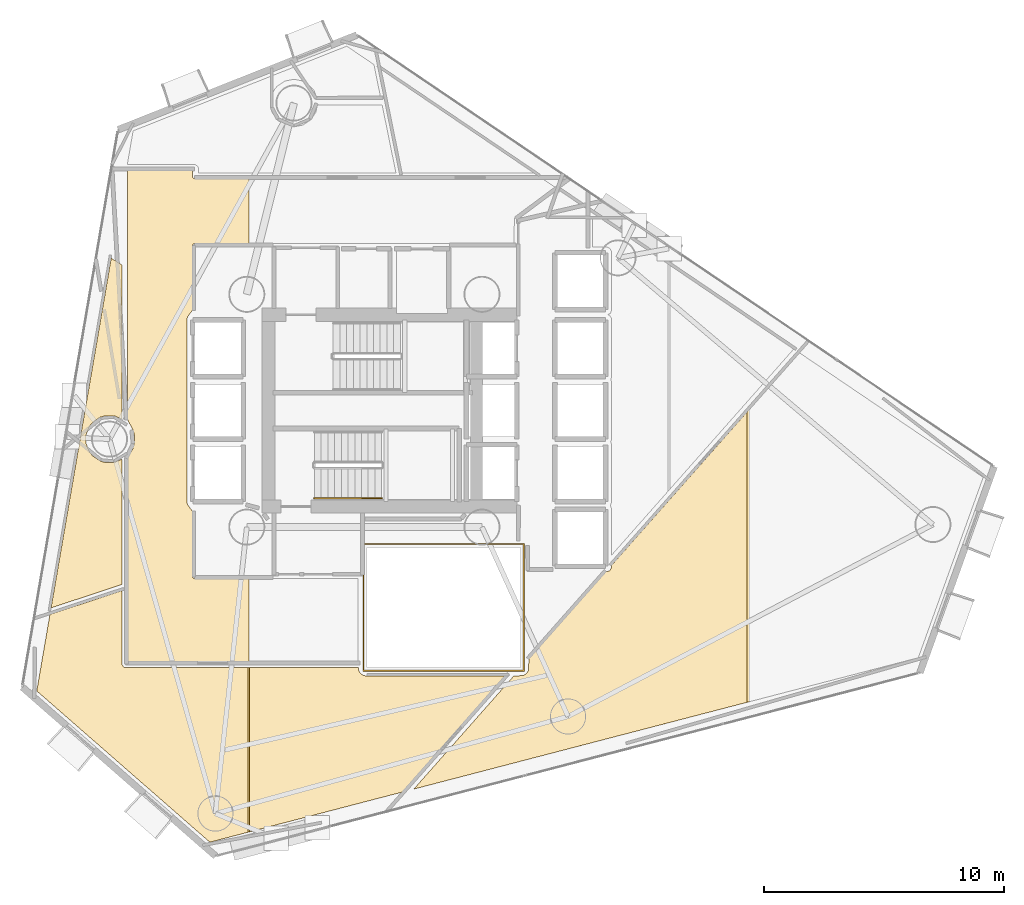
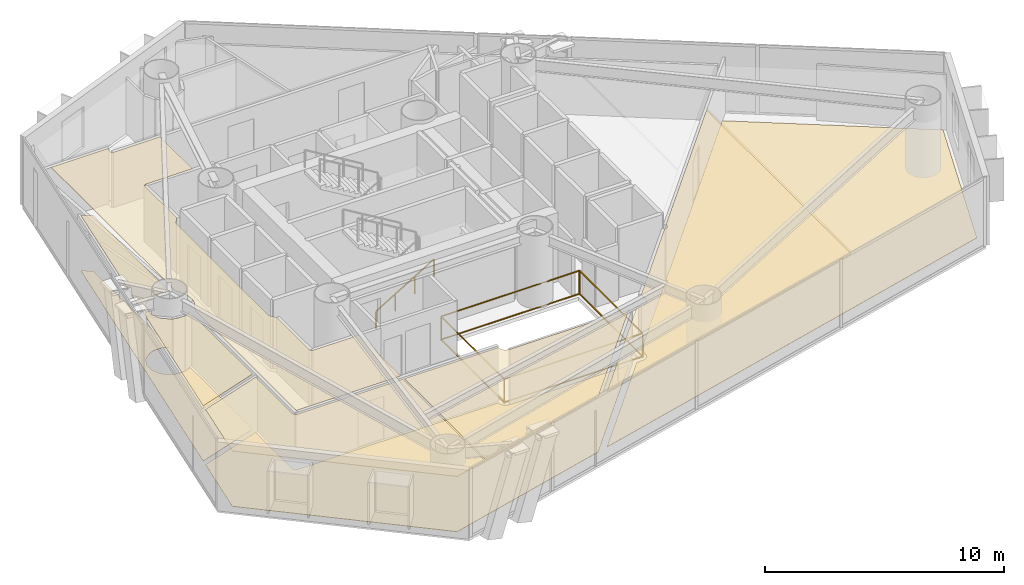
# One storey, part 19 of 21: 8 coverings, 2 railings.
"""IFC4 building model written with IfcOpenShell, lengths in metres."""

from ifc_helpers import new_model, si_unit, direction, frame, origin, origin_2d, place, context, subcontext, project, spatial, polyline, rectangle, outline, extrude, material, layer, layer_set, type_object, element, save


model = new_model("IFC4")

# Units and contexts
model_context = context("Model", 3, precision=1e-05, world=origin(), true_north=direction((0.0, 1.0)))
body_context = subcontext(model_context, "Body", "Model", "MODEL_VIEW")
ifc_project = project(units=[si_unit("LENGTHUNIT", "METRE"), si_unit("AREAUNIT", "SQUARE_METRE"), si_unit("VOLUMEUNIT", "CUBIC_METRE"), si_unit("PLANEANGLEUNIT", "RADIAN"), si_unit("MASSUNIT", "GRAM", prefix="KILO")], contexts=[model_context])

# Site, building, storey
site_placement = place(None, origin())
site = spatial("IfcSite", under=ifc_project, at=site_placement, CompositionType="ELEMENT")
building_placement = place(site_placement, origin())
building = spatial("IfcBuilding", under=site, at=building_placement, Name="Qianvela Tower", CompositionType="ELEMENT")
storey_placement = place(building_placement, frame((0.0, 0.0, 105.199951171875)))
storey = spatial("IfcBuildingStorey", under=building, at=storey_placement, Name="L26", CompositionType="ELEMENT", Elevation=105.199951171875)

# Coverings
ifc_material_1 = material(Name="Perforated Mineral Acoustic Ceiling Tile")
ifc_layer_1 = layer(ifc_material_1, 0.02490234375)
ifc_layer_set_1 = layer_set([ifc_layer_1], Name="Perforated Mineral Acoustic Ceiling Tile")
covering_type_1 = type_object("IfcCoveringType", Name="COV-CEIL-ACOUSTIC-25", PredefinedType="CEILING", material=ifc_layer_set_1)
covering_1_placement = place(storey_placement, frame((0.0, 0.0, 2.81494140625)))
element("IfcCovering", 1, at=covering_1_placement, inside=storey, type_object=covering_type_1, Name="L26 Acoustic Ceiling Bay 1 L26 Floor Corridor", PredefinedType="CEILING", context=body_context, shape_type="SweptSolid", body=[
    extrude(outline(polyline([(23.84814453125, 27.917724609375), (23.8447265625, 27.9248046875), (23.6298828125, 28.32666015625), (23.6298828125, 38.719970703125), (26.340087890625, 38.719970703125), (26.340087890625, 38.449951171875), (26.34033203125, 38.442138671875), (26.341552734375, 38.434326171875), (26.343505859375, 38.4267578125), (26.34619140625, 38.41943359375), (26.349365234375, 38.412353515625), (26.353515625, 38.405517578125), (26.358154296875, 38.399169921875), (26.36328125, 38.393310546875), (26.369140625, 38.38818359375), (26.37548828125, 38.383544921875), (26.38232421875, 38.37939453125), (26.389404296875, 38.376220703125), (26.396728515625, 38.373291015625), (26.404296875, 38.37158203125), (26.412109375, 38.370361328125), (26.419921875, 38.3701171875), (28.68505859375, 38.3701171875), (28.68505859375, 35.659912109375), (26.419921875, 35.659912109375), (26.412109375, 35.65966796875), (26.404296875, 35.658447265625), (26.396728515625, 35.656494140625), (26.389404296875, 35.65380859375), (26.38232421875, 35.650634765625), (26.37548828125, 35.646484375), (26.369140625, 35.641845703125), (26.36328125, 35.63671875), (26.358154296875, 35.630859375), (26.353515625, 35.62451171875), (26.349365234375, 35.61767578125), (26.34619140625, 35.610595703125), (26.343505859375, 35.603271484375), (26.341552734375, 35.595703125), (26.34033203125, 35.587890625), (26.340087890625, 35.580078125), (26.340087890625, 32.89599609375), (26.139404296875, 32.62548828125), (26.135498046875, 32.61962890625), (26.132080078125, 32.61376953125), (26.12939453125, 32.607421875), (26.126953125, 32.60107421875), (26.103515625, 32.523193359375), (26.1015625, 32.515625), (26.100341796875, 32.5078125), (26.10009765625, 32.5), (26.10009765625, 24.89990234375), (26.100341796875, 24.89208984375), (26.1015625, 24.884521484375), (26.103515625, 24.876708984375), (26.126953125, 24.799072265625), (26.12939453125, 24.79248046875), (26.132080078125, 24.786376953125), (26.135498046875, 24.7802734375), (26.139404296875, 24.774658203125), (26.340087890625, 24.50390625), (26.340087890625, 21.780029296875), (26.34033203125, 21.772216796875), (26.341552734375, 21.764404296875), (26.343505859375, 21.7568359375), (26.34619140625, 21.74951171875), (26.349365234375, 21.7421875), (26.353515625, 21.735595703125), (26.358154296875, 21.729248046875), (26.36328125, 21.723388671875), (26.369140625, 21.71826171875), (26.37548828125, 21.71337890625), (26.38232421875, 21.70947265625), (26.389404296875, 21.7060546875), (26.396728515625, 21.703369140625), (26.404296875, 21.701416015625), (26.412109375, 21.700439453125), (26.419921875, 21.699951171875), (28.68505859375, 21.699951171875), (28.68505859375, 18.22998046875), (23.6298828125, 18.22998046875), (23.6298828125, 26.705322265625), (23.8447265625, 27.107177734375), (23.84814453125, 27.1142578125), (23.8505859375, 27.12158203125), (23.906005859375, 27.303466796875), (23.90771484375, 27.311279296875), (23.908935546875, 27.31884765625), (23.909423828125, 27.326904296875), (23.909423828125, 27.705078125), (23.908935546875, 27.713134765625), (23.90771484375, 27.720703125), (23.906005859375, 27.728515625), (23.8505859375, 27.910400390625), (23.84814453125, 27.917724609375)])), origin(), (0.0, 0.0, 1.0), 0.025146484375),
])
covering_2_placement = place(storey_placement, frame((0.0, 0.0, 2.81494140625)))
element("IfcCovering", 2, at=covering_2_placement, inside=storey, type_object=covering_type_1, Name="L26 Acoustic Ceiling Bay 1 Collaborative Co-working Office L26-01A", PredefinedType="CEILING", context=body_context, shape_type="SweptSolid", body=[
    extrude(outline(polyline([(23.390380859375, 18.14208984375), (23.3916015625, 18.134521484375), (23.393310546875, 18.126708984375), (23.39599609375, 18.119384765625), (23.3994140625, 18.1123046875), (23.403564453125, 18.105712890625), (23.408203125, 18.09912109375), (23.47265625, 18.020751953125), (23.477783203125, 18.014892578125), (23.483642578125, 18.009765625), (23.489990234375, 18.0048828125), (23.49658203125, 18.0009765625), (23.50390625, 17.99755859375), (23.51123046875, 17.9951171875), (23.518798828125, 17.9931640625), (23.526611328125, 17.991943359375), (23.534423828125, 17.991455078125), (28.640380859375, 17.99072265625), (28.640380859375, 11.129638671875), (27.059326171875, 10.718017578125), (19.8466796875, 17.020263671875), (20.395263671875, 20.20849609375), (23.389892578125, 21.199951171875), (23.389892578125, 18.14990234375), (23.390380859375, 18.14208984375)])), origin(), (0.0, 0.0, 1.0), 0.025146484375),
])
covering_3_placement = place(storey_placement, frame((0.0, 0.0, 2.81494140625)))
element("IfcCovering", 3, at=covering_3_placement, inside=storey, type_object=covering_type_1, Name="L26 Acoustic Ceiling Bay 2 Collaborative Co-working Office L26-01A", PredefinedType="CEILING", context=body_context, shape_type="SweptSolid", body=[
    extrude(outline(polyline([(33.24609375, 17.989990234375), (33.252197265625, 17.912353515625), (33.25341796875, 17.904296875), (33.25537109375, 17.896240234375), (33.258056640625, 17.888427734375), (33.261474609375, 17.881103515625), (33.31298828125, 17.78466796875), (33.31689453125, 17.77783203125), (33.32177734375, 17.771484375), (33.326904296875, 17.765869140625), (33.332763671875, 17.760498046875), (33.417236328125, 17.691162109375), (33.42431640625, 17.68603515625), (33.431884765625, 17.681640625), (33.440185546875, 17.677978515625), (33.448486328125, 17.675537109375), (33.58056640625, 17.642333984375), (33.5869140625, 17.64111328125), (33.593505859375, 17.640380859375), (33.60009765625, 17.639892578125), (39.34765625, 17.639892578125), (35.07470703125, 12.804931640625), (28.72021484375, 11.150390625), (28.72021484375, 17.99072265625), (33.24609375, 17.989990234375)])), origin(), (0.0, 0.0, 1.0), 0.025146484375),
])
covering_4_placement = place(storey_placement, frame((0.0, 0.0, 2.81494140625)))
element("IfcCovering", 4, at=covering_4_placement, inside=storey, type_object=covering_type_1, Name="L26 Acoustic Ceiling Bay 1 Quiet Desk Workspace L26-01B", PredefinedType="CEILING", context=body_context, shape_type="SweptSolid", body=[
    extrude(outline(polyline([(40.119873046875, 17.662353515625), (40.128173828125, 17.6640625), (40.136474609375, 17.666748046875), (40.144287109375, 17.67041015625), (40.151611328125, 17.6748046875), (40.242431640625, 17.735595703125), (40.248779296875, 17.740234375), (40.254638671875, 17.745361328125), (40.259765625, 17.751220703125), (40.264404296875, 17.757568359375), (40.3251953125, 17.848388671875), (40.3291015625, 17.8544921875), (40.332275390625, 17.861083984375), (40.334716796875, 17.867919921875), (40.336669921875, 17.875), (40.337890625, 17.882080078125), (40.338623046875, 17.889404296875), (40.358642578125, 18.361083984375), (43.565185546875, 21.9892578125), (43.69873046875, 22.0234375), (43.706298828125, 22.02587890625), (43.71337890625, 22.02880859375), (43.720458984375, 22.032470703125), (43.726806640625, 22.036865234375), (43.73291015625, 22.0419921875), (43.73828125, 22.04736328125), (43.743408203125, 22.053466796875), (43.74755859375, 22.059814453125), (43.751220703125, 22.06689453125), (43.79150390625, 22.152099609375), (43.794921875, 22.16015625), (43.79736328125, 22.168701171875), (43.798828125, 22.177490234375), (43.79931640625, 22.186279296875), (43.79931640625, 22.25439453125), (49.443603515625, 28.640869140625), (49.443603515625, 16.5458984375), (35.559814453125, 12.93115234375), (39.722900390625, 17.641845703125), (40.111083984375, 17.661376953125), (40.119873046875, 17.662353515625)])), origin(), (0.0, 0.0, 1.0), 0.025146484375),
])
covering_5_placement = place(storey_placement, frame((0.0, 0.0, 2.81494140625)))
element("IfcCovering", 5, at=covering_5_placement, inside=storey, type_object=covering_type_1, Name="L26 Acoustic Ceiling Graduate Seminar Classroom L26-04", PredefinedType="CEILING", context=body_context, shape_type="SweptSolid", body=[
    extrude(outline(polyline([(23.389892578125, 26.67529296875), (23.389892578125, 21.45703125), (20.442138671875, 20.48095703125), (22.949462890625, 35.0576171875), (23.389892578125, 34.77880859375), (23.389892578125, 28.356689453125), (23.086181640625, 28.482421875), (23.078857421875, 28.485107421875), (23.071044921875, 28.487060546875), (23.0634765625, 28.488037109375), (23.055419921875, 28.488525390625), (22.700439453125, 28.488525390625), (22.692626953125, 28.488037109375), (22.684814453125, 28.487060546875), (22.67724609375, 28.485107421875), (22.506591796875, 28.433349609375), (22.4990234375, 28.4306640625), (22.491943359375, 28.42724609375), (22.4853515625, 28.423095703125), (22.190185546875, 28.22607421875), (22.183837890625, 28.22119140625), (22.177978515625, 28.216064453125), (22.172607421875, 28.210205078125), (22.0595703125, 28.072265625), (22.0546875, 28.06591796875), (22.05078125, 28.059326171875), (22.047607421875, 28.05224609375), (21.91162109375, 27.72412109375), (21.908935546875, 27.716796875), (21.906982421875, 27.708984375), (21.906005859375, 27.701416015625), (21.888427734375, 27.523681640625), (21.887939453125, 27.51611328125), (21.888427734375, 27.50830078125), (21.906005859375, 27.33056640625), (21.906982421875, 27.322998046875), (21.908935546875, 27.315185546875), (21.91162109375, 27.307861328125), (22.047607421875, 26.979736328125), (22.05078125, 26.97265625), (22.0546875, 26.966064453125), (22.0595703125, 26.959716796875), (22.172607421875, 26.82177734375), (22.177978515625, 26.81591796875), (22.183837890625, 26.810791015625), (22.190185546875, 26.805908203125), (22.4853515625, 26.60888671875), (22.491943359375, 26.604736328125), (22.4990234375, 26.601318359375), (22.506591796875, 26.5986328125), (22.67724609375, 26.546875), (22.684814453125, 26.544921875), (22.692626953125, 26.5439453125), (22.700439453125, 26.54345703125), (23.055419921875, 26.54345703125), (23.0634765625, 26.5439453125), (23.071044921875, 26.544921875), (23.078857421875, 26.546875), (23.086181640625, 26.549560546875), (23.389892578125, 26.67529296875)])), origin(), (0.0, 0.0, 1.0), 0.025146484375),
])
ifc_material_2 = material(Name="Engineered Acoustic Oak Timber Flooring", Category="wood")
ifc_layer_2 = layer(ifc_material_2, 0.02001953125)
ifc_layer_set_2 = layer_set([ifc_layer_2], Name="Engineered Acoustic Oak Timber Flooring")
covering_type_2 = type_object("IfcCoveringType", Name="COV-FLOOR-OAK-20", PredefinedType="FLOORING", material=ifc_layer_set_2)
covering_6_placement = place(storey_placement, origin())
element("IfcCovering", 6, at=covering_6_placement, inside=storey, type_object=covering_type_2, Name="L26 Finish Flooring Collaborative Co-working Office L26-01A", PredefinedType="FLOORING", context=body_context, shape_type="SweptSolid", body=[
    extrude(outline(polyline([(23.389892578125, 18.14990234375), (23.390380859375, 18.14208984375), (23.3916015625, 18.134521484375), (23.393310546875, 18.126708984375), (23.39599609375, 18.119384765625), (23.3994140625, 18.1123046875), (23.403564453125, 18.105712890625), (23.408203125, 18.09912109375), (23.47265625, 18.020751953125), (23.477783203125, 18.014892578125), (23.483642578125, 18.009765625), (23.489990234375, 18.0048828125), (23.49658203125, 18.0009765625), (23.50390625, 17.99755859375), (23.51123046875, 17.9951171875), (23.518798828125, 17.9931640625), (23.526611328125, 17.991943359375), (23.534423828125, 17.991455078125), (33.24609375, 17.989990234375), (33.252197265625, 17.912353515625), (33.25341796875, 17.904296875), (33.25537109375, 17.896240234375), (33.258056640625, 17.888427734375), (33.261474609375, 17.881103515625), (33.31298828125, 17.78466796875), (33.31689453125, 17.77783203125), (33.32177734375, 17.771484375), (33.326904296875, 17.765869140625), (33.332763671875, 17.760498046875), (33.417236328125, 17.691162109375), (33.42431640625, 17.68603515625), (33.431884765625, 17.681640625), (33.440185546875, 17.677978515625), (33.448486328125, 17.675537109375), (33.58056640625, 17.642333984375), (33.5869140625, 17.64111328125), (33.593505859375, 17.640380859375), (33.60009765625, 17.639892578125), (39.34765625, 17.639892578125), (35.07470703125, 12.804931640625), (27.059326171875, 10.718017578125), (19.8466796875, 17.020263671875), (20.395263671875, 20.20849609375), (23.389892578125, 21.199951171875), (23.389892578125, 18.14990234375)])), origin(), (0.0, 0.0, 1.0), 0.02001953125),
])
covering_7_placement = place(storey_placement, origin())
element("IfcCovering", 7, at=covering_7_placement, inside=storey, type_object=covering_type_2, Name="L26 Finish Flooring Quiet Desk Workspace L26-01B", PredefinedType="FLOORING", context=body_context, shape_type="SweptSolid", body=[
    extrude(outline(polyline([(40.111083984375, 17.661376953125), (40.119873046875, 17.662353515625), (40.128173828125, 17.6640625), (40.136474609375, 17.666748046875), (40.144287109375, 17.67041015625), (40.151611328125, 17.6748046875), (40.242431640625, 17.735595703125), (40.248779296875, 17.740234375), (40.254638671875, 17.745361328125), (40.259765625, 17.751220703125), (40.264404296875, 17.757568359375), (40.3251953125, 17.848388671875), (40.3291015625, 17.8544921875), (40.332275390625, 17.861083984375), (40.334716796875, 17.867919921875), (40.336669921875, 17.875), (40.337890625, 17.882080078125), (40.338623046875, 17.889404296875), (40.358642578125, 18.361083984375), (43.565185546875, 21.9892578125), (43.69873046875, 22.0234375), (43.706298828125, 22.02587890625), (43.71337890625, 22.02880859375), (43.720458984375, 22.032470703125), (43.726806640625, 22.036865234375), (43.73291015625, 22.0419921875), (43.73828125, 22.04736328125), (43.743408203125, 22.053466796875), (43.74755859375, 22.059814453125), (43.751220703125, 22.06689453125), (43.79150390625, 22.152099609375), (43.794921875, 22.16015625), (43.79736328125, 22.168701171875), (43.798828125, 22.177490234375), (43.79931640625, 22.186279296875), (43.79931640625, 22.25439453125), (51.62939453125, 31.1142578125), (59.28955078125, 25.925537109375), (56.58447265625, 18.40478515625), (35.559814453125, 12.93115234375), (39.722900390625, 17.641845703125), (40.111083984375, 17.661376953125)])), origin(), (0.0, 0.0, 1.0), 0.02001953125),
])
covering_8_placement = place(storey_placement, origin())
element("IfcCovering", 8, at=covering_8_placement, inside=storey, type_object=covering_type_2, Name="L26 Finish Flooring Graduate Seminar Classroom L26-04", PredefinedType="FLOORING", context=body_context, shape_type="SweptSolid", body=[
    extrude(outline(polyline([(23.389892578125, 26.67529296875), (23.389892578125, 21.45703125), (20.442138671875, 20.48095703125), (22.949462890625, 35.0576171875), (23.389892578125, 34.77880859375), (23.389892578125, 28.356689453125), (23.086181640625, 28.482421875), (23.078857421875, 28.485107421875), (23.071044921875, 28.487060546875), (23.0634765625, 28.488037109375), (23.055419921875, 28.488525390625), (22.700439453125, 28.488525390625), (22.692626953125, 28.488037109375), (22.684814453125, 28.487060546875), (22.67724609375, 28.485107421875), (22.506591796875, 28.433349609375), (22.4990234375, 28.4306640625), (22.491943359375, 28.42724609375), (22.4853515625, 28.423095703125), (22.190185546875, 28.22607421875), (22.183837890625, 28.22119140625), (22.177978515625, 28.216064453125), (22.172607421875, 28.210205078125), (22.0595703125, 28.072265625), (22.0546875, 28.06591796875), (22.05078125, 28.059326171875), (22.047607421875, 28.05224609375), (21.91162109375, 27.72412109375), (21.908935546875, 27.716796875), (21.906982421875, 27.708984375), (21.906005859375, 27.701416015625), (21.888427734375, 27.523681640625), (21.887939453125, 27.51611328125), (21.888427734375, 27.50830078125), (21.906005859375, 27.33056640625), (21.906982421875, 27.322998046875), (21.908935546875, 27.315185546875), (21.91162109375, 27.307861328125), (22.047607421875, 26.979736328125), (22.05078125, 26.97265625), (22.0546875, 26.966064453125), (22.0595703125, 26.959716796875), (22.172607421875, 26.82177734375), (22.177978515625, 26.81591796875), (22.183837890625, 26.810791015625), (22.190185546875, 26.805908203125), (22.4853515625, 26.60888671875), (22.491943359375, 26.604736328125), (22.4990234375, 26.601318359375), (22.506591796875, 26.5986328125), (22.67724609375, 26.546875), (22.684814453125, 26.544921875), (22.692626953125, 26.5439453125), (22.700439453125, 26.54345703125), (23.055419921875, 26.54345703125), (23.0634765625, 26.5439453125), (23.071044921875, 26.544921875), (23.078857421875, 26.546875), (23.086181640625, 26.549560546875), (23.389892578125, 26.67529296875)])), origin(), (0.0, 0.0, 1.0), 0.02001953125),
])

# Railings
ifc_material_3 = material(Name="Laminated Safety Glass and Stainless Steel 316", Category="steel")
railing_type_1 = type_object("IfcRailingType", Name="RL-ATRIUM-GUARD-1250", PredefinedType="GUARDRAIL", material=ifc_material_3)
railing_1_placement = place(storey_placement, frame((33.4599609375, 17.860107421875, 0.0)))
element("IfcRailing", 9, at=railing_1_placement, inside=storey, type_object=railing_type_1, Name="L26 Atrium Edge Guardrail 1", PredefinedType="GUARDRAIL", context=body_context, shape_type="SweptSolid", body=[
    extrude(rectangle(XDim=0.050048828125, YDim=0.0400390625, at=origin_2d()), frame((0.0, 0.0, 1.22998046875), z_axis=(0.0, 1.0, 0.0), x_axis=(-1.0, 0.0, 0.0)), (0.0, 0.0, 1.0), 5.27978515625),
    extrude(rectangle(XDim=0.050048828125, YDim=0.0400390625, at=origin_2d()), frame((0.0, 0.0, 0.050048828125), z_axis=(0.0, 1.0, 0.0), x_axis=(-1.0, 0.0, 0.0)), (0.0, 0.0, 1.0), 5.27978515625),
    extrude(rectangle(XDim=0.050048828125, YDim=0.0400390625, at=origin_2d()), frame((0.0, 5.27978515625, 1.22998046875), z_axis=(1.0, 0.0, 0.0), x_axis=(0.0, 1.0, 0.0)), (0.0, 0.0, 1.0), 6.679931640625),
    extrude(rectangle(XDim=0.050048828125, YDim=0.0400390625, at=origin_2d()), frame((0.0, 5.27978515625, 0.050048828125), z_axis=(1.0, 0.0, 0.0), x_axis=(0.0, 1.0, 0.0)), (0.0, 0.0, 1.0), 6.679931640625),
    extrude(rectangle(XDim=0.050048828125, YDim=0.0400390625, at=origin_2d()), frame((6.679931640625, 5.27978515625, 1.22998046875), z_axis=(0.0, -1.0, 0.0), x_axis=(1.0, 0.0, 0.0)), (0.0, 0.0, 1.0), 5.27978515625),
    extrude(rectangle(XDim=0.050048828125, YDim=0.0400390625, at=origin_2d()), frame((6.679931640625, 5.27978515625, 0.050048828125), z_axis=(0.0, -1.0, 0.0), x_axis=(1.0, 0.0, 0.0)), (0.0, 0.0, 1.0), 5.27978515625),
    extrude(rectangle(XDim=0.050048828125, YDim=0.0400390625, at=origin_2d()), frame((6.679931640625, 0.0, 1.22998046875), z_axis=(-1.0, 0.0, 0.0), x_axis=(0.0, -1.0, 0.0)), (0.0, 0.0, 1.0), 6.679931640625),
    extrude(rectangle(XDim=0.050048828125, YDim=0.0400390625, at=origin_2d()), frame((6.679931640625, 0.0, 0.050048828125), z_axis=(-1.0, 0.0, 0.0), x_axis=(0.0, -1.0, 0.0)), (0.0, 0.0, 1.0), 6.679931640625),
    extrude(rectangle(XDim=0.050048828125, YDim=0.050048828125, at=origin_2d()), origin(), (0.0, 0.0, 1.0), 1.2099609375),
    extrude(rectangle(XDim=0.050048828125, YDim=0.050048828125, at=origin_2d()), frame((0.0, 5.27978515625, 0.0)), (0.0, 0.0, 1.0), 1.2099609375),
    extrude(rectangle(XDim=0.050048828125, YDim=0.050048828125, at=origin_2d()), frame((6.679931640625, 5.27978515625, 0.0)), (0.0, 0.0, 1.0), 1.2099609375),
    extrude(rectangle(XDim=0.050048828125, YDim=0.050048828125, at=origin_2d()), frame((6.679931640625, 0.0, 0.0)), (0.0, 0.0, 1.0), 1.2099609375),
])
ifc_material_4 = material(Name="Brushed Stainless Steel 304", Category="steel")
railing_type_2 = type_object("IfcRailingType", Name="RL-STAIR-HANDRAIL-900", PredefinedType="HANDRAIL", material=ifc_material_4)
railing_2_placement = place(storey_placement, frame((31.419921875, 25.050048828125, 0.168212890625)))
element("IfcRailing", 10, at=railing_2_placement, inside=storey, type_object=railing_type_2, Name="L26 ST-2 stair handrail 1", PredefinedType="HANDRAIL", context=body_context, shape_type="SweptSolid", body=[
    extrude(rectangle(XDim=0.050048828125, YDim=0.0400390625, at=origin_2d()), frame((0.0, 0.0, 0.8798828125), z_axis=(0.857242210791, 0.0, 0.514913383045), x_axis=(0.0, 1.0, 0.0)), (0.0, 0.0, 1.0), 3.266357421875),
    extrude(rectangle(XDim=0.050048828125, YDim=0.050048828125, at=origin_2d()), origin(), (0.0, 0.0, 1.0), 0.85986328125),
    extrude(rectangle(XDim=0.050048828125, YDim=0.050048828125, at=origin_2d()), frame((0.933349609375, 0.0, 0.560546875)), (0.0, 0.0, 1.0), 0.85986328125),
    extrude(rectangle(XDim=0.050048828125, YDim=0.050048828125, at=origin_2d()), frame((1.86669921875, 0.0, 1.121337890625)), (0.0, 0.0, 1.0), 0.85986328125),
    extrude(rectangle(XDim=0.050048828125, YDim=0.050048828125, at=origin_2d()), frame((2.800048828125, 0.0, 1.681884765625)), (0.0, 0.0, 1.0), 0.85986328125),
])

save(model, "model.ifc")
